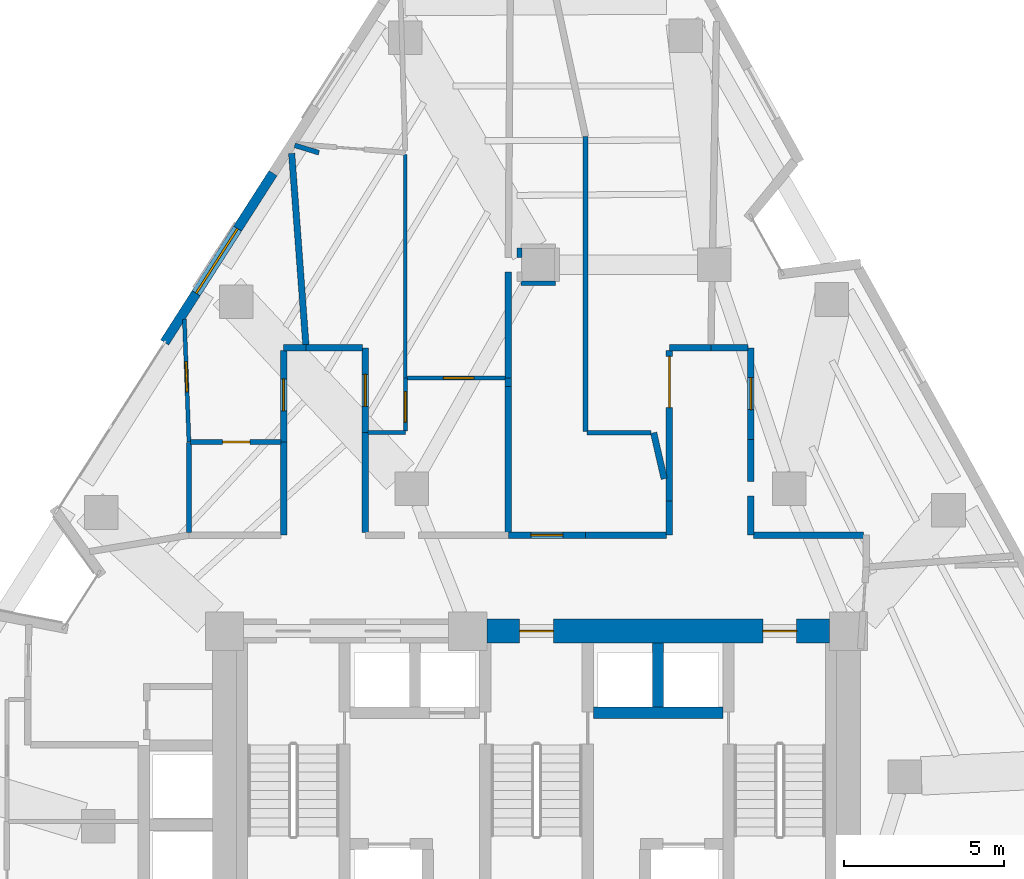
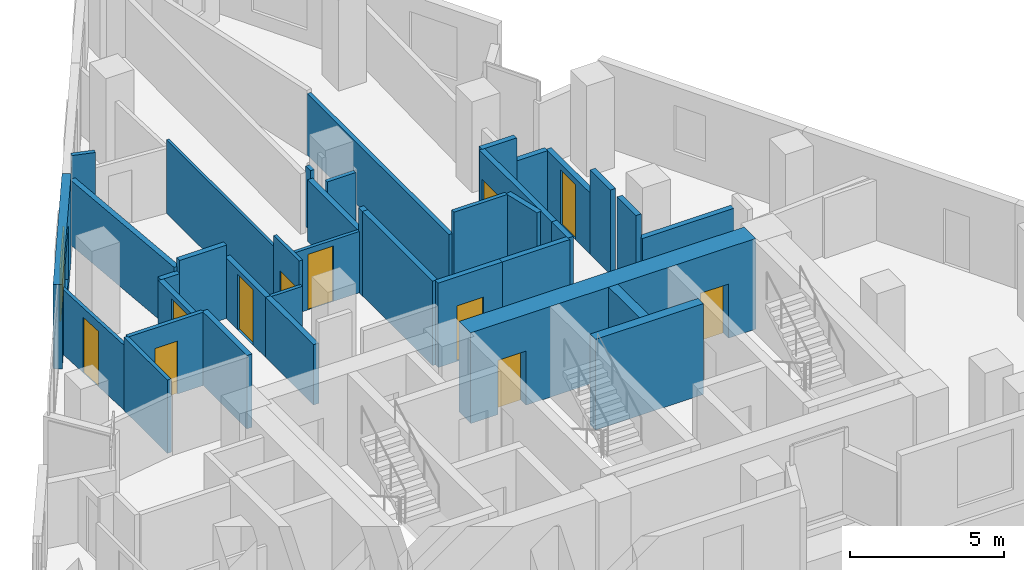
# One storey, part 7 of 11: 37 walls, 11 doors, 1 window, 12 openings.
"""IFC4 building model written with IfcOpenShell, lengths in metres."""

from ifc_helpers import new_model, si_unit, direction, frame, frame_2d, origin, place, context, subcontext, project, spatial, rectangle, extrude, material, layer, layer_set, type_object, element, fill, save


model = new_model("IFC4")

# Units and contexts
model_context = context("Model", 3, precision=1e-05, world=origin(), true_north=direction((0.0, 1.0)))
body_context = subcontext(model_context, "Body", "Model", "MODEL_VIEW")
ifc_project = project(units=[si_unit("LENGTHUNIT", "METRE"), si_unit("AREAUNIT", "SQUARE_METRE"), si_unit("VOLUMEUNIT", "CUBIC_METRE"), si_unit("PLANEANGLEUNIT", "RADIAN"), si_unit("MASSUNIT", "GRAM", prefix="KILO")], contexts=[model_context])

# Site, building, storey
site_placement = place(None, origin())
site = spatial("IfcSite", under=ifc_project, at=site_placement, CompositionType="ELEMENT")
building_placement = place(site_placement, origin())
building = spatial("IfcBuilding", under=site, at=building_placement, Name="Almagre Mirador Tower", CompositionType="ELEMENT")
storey_placement = place(building_placement, frame((0.0, 0.0, 153.60009765625)))
storey = spatial("IfcBuildingStorey", under=building, at=storey_placement, Name="L39", CompositionType="ELEMENT", Elevation=153.60009765625)

# Wall, opening, window
ifc_material_1 = material(Name="Precast concrete C50/60", Category="concrete")
ifc_layer_1 = layer(ifc_material_1, 0.300048828125)
ifc_layer_set_1 = layer_set([ifc_layer_1], Name="Precast concrete C50/60")
wall_type_1 = type_object("IfcWallType", Name="WAL-EXT-300", PredefinedType="SOLIDWALL", material=ifc_layer_set_1)
wall_1_placement = place(storey_placement, frame((25.679443359375, 23.771728515625, 0.0), z_axis=(0.0, 0.0, 1.0), x_axis=(0.539489448276, 0.841992360535, 0.0)))
wall_1 = element("IfcWall", 1, at=wall_1_placement, inside=storey, type_object=wall_type_1, Name="L39 expressed almagre precast frame wall 03", PredefinedType="SOLIDWALL", context=body_context, shape_type="SweptSolid", body=[
    extrude(rectangle(XDim=6.279052734375, YDim=0.300048828125, at=frame_2d((3.1396484375, 0.0))), origin(), (0.0, 0.0, 1.0), 3.349853515625),
])
opening_1_placement = place(wall_1_placement, frame((1.824951171875, 0.0, 0.60009765625)))
opening_1 = element("IfcOpeningElement", 2, at=opening_1_placement, cuts=wall_1, Name="Opening WN-02", PredefinedType="OPENING", context=body_context, shape_type="SweptSolid", body=[
    extrude(rectangle(XDim=2.39990234375, YDim=2.10009765625, at=frame_2d((1.199951171875, 1.050048828125))), frame((0.0, 0.159902, 0.0), z_axis=(0.0, -1.0, 0.0), x_axis=(1.0, 0.0, 0.0)), (0.0, 0.0, 1.0), 0.320049),
])
ifc_material_2 = material(Name="Dark solar-control laminated hurricane glass", Category="glass")
window_type = type_object("IfcWindowType", Name="WIN-2400X2100", PartitioningType="TRIPLE_PANEL_VERTICAL", PredefinedType="WINDOW", material=ifc_material_2)
window_placement = place(opening_1_placement, origin())
window = element("IfcWindow", 3, at=window_placement, inside=storey, type_object=window_type, Name="L39 recessed hurricane window L39-UD-ST", OverallHeight=2.10009765625, OverallWidth=2.39990234375, PartitioningType="SINGLE_PANEL", PredefinedType="WINDOW", context=body_context, shape_type="SweptSolid", body=[
    extrude(rectangle(XDim=2.39990234375, YDim=2.10009765625, at=frame_2d((1.199951171875, 1.050048828125))), frame((0.0, 0.030029296875, 0.0), z_axis=(0.0, -1.0, 0.0), x_axis=(1.0, 0.0, 0.0)), (0.0, 0.0, 1.0), 0.06005859375),
])
fill(opening_1, window)

# Wall
ifc_material_3 = material(Name="Gypsum acoustic stud partition", Category="other")
ifc_layer_2 = layer(ifc_material_3, 0.10009765625)
ifc_layer_set_2 = layer_set([ifc_layer_2], Name="Gypsum acoustic stud partition")
wall_type_2 = type_object("IfcWallType", Name="WAL-PRT-100-CLS", PredefinedType="PARTITIONING", material=ifc_layer_set_2)
wall_2_placement = place(storey_placement, frame((33.199951171875, 22.659912109375, 0.0), z_axis=(0.0, 0.0, 1.0), x_axis=(0.0, 1.0, 0.0)))
element("IfcWall", 4, at=wall_2_placement, inside=storey, type_object=wall_type_2, Name="L39 interior partition 062", PredefinedType="PARTITIONING", context=body_context, shape_type="SweptSolid", body=[
    extrude(rectangle(XDim=6.97998046875, YDim=0.10009765625, at=frame_2d((3.489990234375, 0.0))), origin(), (0.0, 0.0, 1.0), 2.910888671875),
])

# Wall, opening, door
ifc_material_4 = material(Name="Gypsum acoustic stud partition", Category="other")
ifc_layer_3 = layer(ifc_material_4, 0.125)
ifc_layer_set_3 = layer_set([ifc_layer_3], Name="Gypsum acoustic stud partition")
wall_type_3 = type_object("IfcWallType", Name="WAL-PRT-125-UTL", PredefinedType="PARTITIONING", material=ifc_layer_set_3)
wall_3_placement = place(storey_placement, frame((26.298095703125, 24.4970703125, 0.0), z_axis=(0.0, 0.0, 1.0), x_axis=(0.036941110587, -0.999317444233, 0.0)))
wall_3 = element("IfcWall", 5, at=wall_3_placement, inside=storey, type_object=wall_type_3, Name="L39 interior partition 042", PredefinedType="PARTITIONING", context=body_context, shape_type="SweptSolid", body=[
    extrude(rectangle(XDim=3.83984375, YDim=0.125, at=frame_2d((1.919921875, 0.0))), origin(), (0.0, 0.0, 1.0), 2.56982421875),
])
opening_2_placement = place(wall_3_placement, frame((1.32470703125, 0.0, 0.0)))
opening_2 = element("IfcOpeningElement", 6, at=opening_2_placement, cuts=wall_3, Name="Opening UD-01", PredefinedType="OPENING", context=body_context, shape_type="SweptSolid", body=[
    extrude(rectangle(XDim=0.949951171875, YDim=2.199951171875, at=frame_2d((0.47509765625, 1.10009765625))), frame((0.0, 0.0725, 0.0), z_axis=(0.0, -1.0, 0.0), x_axis=(1.0, 0.0, 0.0)), (0.0, 0.0, 1.0), 0.145),
])
ifc_material_5 = material(Name="Solid American walnut timber", Category="wood")
door_type_1 = type_object("IfcDoorType", Name="DOR-UNR-950X2200", OperationType="NOTDEFINED", PredefinedType="DOOR", material=ifc_material_5)
door_1_placement = place(opening_2_placement, origin())
door_1 = element("IfcDoor", 7, at=door_1_placement, inside=storey, type_object=door_type_1, Name="DR-1272 L39 interior door L39-UD-ST to L39-UD-KT", OperationType="SINGLE_SWING_RIGHT", OverallHeight=2.199951171875, OverallWidth=0.949951171875, PredefinedType="DOOR", context=body_context, shape_type="SweptSolid", body=[
    extrude(rectangle(XDim=0.949951171875, YDim=2.199951171875, at=frame_2d((0.47509765625, 1.10009765625))), frame((0.0, 0.02490234375, 0.0), z_axis=(0.0, -1.0, 0.0), x_axis=(1.0, 0.0, 0.0)), (0.0, 0.0, 1.0), 0.050048828125),
])
fill(opening_2, door_1)

# Wall
wall_4_placement = place(storey_placement, frame((32.034912109375, 20.949951171875, 0.0), z_axis=(0.0, 0.0, 1.0), x_axis=(1.0, 0.0, 0.0)))
element("IfcWall", 8, at=wall_4_placement, inside=storey, type_object=wall_type_3, Name="L39 interior partition 060", PredefinedType="PARTITIONING", context=body_context, shape_type="SweptSolid", body=[
    extrude(rectangle(XDim=1.1650390625, YDim=0.125, at=frame_2d((0.58251953125, 0.0))), origin(), (0.0, 0.0, 1.0), 2.392822265625),
])

# Wall, opening, door
wall_5_placement = place(storey_placement, frame((33.199951171875, 20.99755859375, 0.0), z_axis=(0.0, 0.0, 1.0), x_axis=(0.0, 1.0, 0.0)))
wall_5 = element("IfcWall", 9, at=wall_5_placement, inside=storey, type_object=wall_type_3, Name="L39 interior partition 061", PredefinedType="PARTITIONING", context=body_context, shape_type="SweptSolid", body=[
    extrude(rectangle(XDim=1.662353515625, YDim=0.125, at=frame_2d((0.8310546875, 0.0))), origin(), (0.0, 0.0, 1.0), 3.349853515625),
])
opening_3_placement = place(wall_5_placement, frame((0.284423828125, 0.0, 0.0)))
opening_3 = element("IfcOpeningElement", 10, at=opening_3_placement, cuts=wall_5, Name="Opening UD-01", PredefinedType="OPENING", context=body_context, shape_type="SweptSolid", body=[
    extrude(rectangle(XDim=0.949951171875, YDim=2.199951171875, at=frame_2d((0.47509765625, 1.10009765625))), frame((0.0, 0.0725, 0.0), z_axis=(0.0, -1.0, 0.0), x_axis=(1.0, 0.0, 0.0)), (0.0, 0.0, 1.0), 0.145),
])
door_2_placement = place(opening_3_placement, origin())
door_2 = element("IfcDoor", 11, at=door_2_placement, inside=storey, type_object=door_type_1, Name="DR-1277 L39 interior door L39-UG-ST to L39-UG-KT", OperationType="SINGLE_SWING_RIGHT", OverallHeight=2.199951171875, OverallWidth=0.949951171875, PredefinedType="DOOR", context=body_context, shape_type="SweptSolid", body=[
    extrude(rectangle(XDim=0.949951171875, YDim=2.199951171875, at=frame_2d((0.47509765625, 1.10009765625))), frame((0.0, 0.02490234375, 0.0), z_axis=(0.0, -1.0, 0.0), x_axis=(1.0, 0.0, 0.0)), (0.0, 0.0, 1.0), 0.050048828125),
])
fill(opening_3, door_2)

wall_6_placement = place(storey_placement, frame((36.3349609375, 22.659912109375, 0.0), z_axis=(0.0, 0.0, 1.0), x_axis=(-1.0, 0.0, 0.0)))
wall_6 = element("IfcWall", 12, at=wall_6_placement, inside=storey, type_object=wall_type_3, Name="L39 interior partition 064", PredefinedType="PARTITIONING", context=body_context, shape_type="SweptSolid", body=[
    extrude(rectangle(XDim=3.08740234375, YDim=0.125, at=frame_2d((1.543701171875, 0.0))), origin(), (0.0, 0.0, 1.0), 2.435791015625),
])
opening_4_placement = place(wall_6_placement, frame((0.991455078125, 0.0, 0.0)))
opening_4 = element("IfcOpeningElement", 13, at=opening_4_placement, cuts=wall_6, Name="Opening UD-01", PredefinedType="OPENING", context=body_context, shape_type="SweptSolid", body=[
    extrude(rectangle(XDim=0.949951171875, YDim=2.199951171875, at=frame_2d((0.47509765625, 1.10009765625))), frame((0.0, 0.0725, 0.0), z_axis=(0.0, -1.0, 0.0), x_axis=(1.0, 0.0, 0.0)), (0.0, 0.0, 1.0), 0.145),
])
door_3_placement = place(opening_4_placement, origin())
door_3 = element("IfcDoor", 14, at=door_3_placement, inside=storey, type_object=door_type_1, Name="DR-1279 L39 interior door L39-UG-KT to L39-UG-SL1", OperationType="SINGLE_SWING_RIGHT", OverallHeight=2.199951171875, OverallWidth=0.949951171875, PredefinedType="DOOR", context=body_context, shape_type="SweptSolid", body=[
    extrude(rectangle(XDim=0.949951171875, YDim=2.199951171875, at=frame_2d((0.47509765625, 1.10009765625))), frame((0.0, 0.02490234375, 0.0), z_axis=(0.0, -1.0, 0.0), x_axis=(1.0, 0.0, 0.0)), (0.0, 0.0, 1.0), 0.050048828125),
])
fill(opening_4, door_3)

ifc_material_6 = material(Name="Gypsum acoustic stud partition", Category="other")
ifc_layer_4 = layer(ifc_material_6, 0.14990234375)
ifc_layer_set_4 = layer_set([ifc_layer_4], Name="Gypsum acoustic stud partition")
wall_type_4 = type_object("IfcWallType", Name="WAL-PRT-150-STD", PredefinedType="PARTITIONING", material=ifc_layer_set_4)
wall_7_placement = place(storey_placement, frame((26.487548828125, 20.659912109375, 0.0), z_axis=(0.0, 0.0, 1.0), x_axis=(1.0, 0.0, 0.0)))
wall_7 = element("IfcWall", 15, at=wall_7_placement, inside=storey, type_object=wall_type_4, Name="L39 interior partition 043", PredefinedType="PARTITIONING", context=body_context, shape_type="SweptSolid", body=[
    extrude(rectangle(XDim=2.827392578125, YDim=0.14990234375, at=frame_2d((1.41357421875, 0.0))), origin(), (0.0, 0.0, 1.0), 2.910888671875),
])
opening_5_placement = place(wall_7_placement, frame((1.007568359375, 0.0, 0.0)))
opening_5 = element("IfcOpeningElement", 16, at=opening_5_placement, cuts=wall_7, Name="Opening UD-04", PredefinedType="OPENING", context=body_context, shape_type="SweptSolid", body=[
    extrude(rectangle(XDim=0.85009765625, YDim=2.10009765625, at=frame_2d((0.425048828125, 1.050048828125))), frame((0.0, 0.084951, 0.0), z_axis=(0.0, -1.0, 0.0), x_axis=(1.0, 0.0, 0.0)), (0.0, 0.0, 1.0), 0.169902),
])
ifc_material_7 = material(Name="Moisture-resistant oak timber", Category="wood")
door_type_2 = type_object("IfcDoorType", Name="DOR-UNR-850X2100", OperationType="NOTDEFINED", PredefinedType="DOOR", material=ifc_material_7)
door_4_placement = place(opening_5_placement, origin())
door_4 = element("IfcDoor", 17, at=door_4_placement, inside=storey, type_object=door_type_2, Name="DR-1273 L39 interior door L39-UD-ST to L39-UD-BT", OperationType="SINGLE_SWING_LEFT", OverallHeight=2.10009765625, OverallWidth=0.85009765625, PredefinedType="DOOR", context=body_context, shape_type="SweptSolid", body=[
    extrude(rectangle(XDim=0.85009765625, YDim=2.10009765625, at=frame_2d((0.425048828125, 1.050048828125))), frame((0.0, 0.02490234375, 0.0), z_axis=(0.0, -1.0, 0.0), x_axis=(1.0, 0.0, 0.0)), (0.0, 0.0, 1.0), 0.050048828125),
])
fill(opening_5, door_4)

# Walls
wall_8_placement = place(storey_placement, frame((26.43994140625, 17.8349609375, 0.0), z_axis=(0.0, 0.0, 1.0), x_axis=(0.0, 1.0, 0.0)))
element("IfcWall", 18, at=wall_8_placement, inside=storey, type_object=wall_type_4, Name="L39 interior partition 045", PredefinedType="PARTITIONING", context=body_context, shape_type="SweptSolid", body=[
    extrude(rectangle(XDim=2.8125, YDim=0.14990234375, at=frame_2d((1.40625, 0.0))), origin(), (0.0, 0.0, 1.0), 2.910888671875),
])
wall_9_placement = place(storey_placement, frame((29.743896484375, 29.930908203125, 0.0), z_axis=(0.0, 0.0, 1.0), x_axis=(0.956483166449, -0.291787512241, 0.0)))
element("IfcWall", 19, at=wall_9_placement, inside=storey, type_object=wall_type_4, Name="L39 interior partition 073", PredefinedType="PARTITIONING", context=body_context, shape_type="SweptSolid", body=[
    extrude(rectangle(XDim=0.79150390625, YDim=0.14990234375, at=frame_2d((0.395751953125, 0.0))), origin(), (0.0, 0.0, 1.0), 3.349853515625),
])
wall_10_placement = place(storey_placement, frame((36.77001953125, 26.419921875, 0.0), z_axis=(0.0, 0.0, 1.0), x_axis=(0.0, 1.0, 0.0)))
element("IfcWall", 20, at=wall_10_placement, inside=storey, type_object=wall_type_4, Name="L39 interior partition 075", PredefinedType="PARTITIONING", context=body_context, shape_type="SweptSolid", body=[
    extrude(rectangle(XDim=0.31005859375, YDim=0.14990234375, at=frame_2d((0.155029296875, 0.0))), origin(), (0.0, 0.0, 1.0), 2.392822265625),
])
wall_11_placement = place(storey_placement, frame((37.889892578125, 25.6201171875, 0.0), z_axis=(0.0, 0.0, 1.0), x_axis=(-1.0, 0.0, 0.0)))
element("IfcWall", 21, at=wall_11_placement, inside=storey, type_object=wall_type_4, Name="L39 interior partition 078", PredefinedType="PARTITIONING", context=body_context, shape_type="SweptSolid", body=[
    extrude(rectangle(XDim=1.06982421875, YDim=0.14990234375, at=frame_2d((0.534912109375, 0.0))), origin(), (0.0, 0.0, 1.0), 2.435791015625),
])
wall_12_placement = place(storey_placement, frame((40.875, 20.949951171875, 0.0), z_axis=(0.0, 0.0, 1.0), x_axis=(-1.0, 0.0, 0.0)))
element("IfcWall", 22, at=wall_12_placement, inside=storey, type_object=wall_type_4, Name="L39 interior partition 080", PredefinedType="PARTITIONING", context=body_context, shape_type="SweptSolid", body=[
    extrude(rectangle(XDim=2.0048828125, YDim=0.14990234375, at=frame_2d((1.00244140625, 0.0))), origin(), (0.0, 0.0, 1.0), 3.349853515625),
])
wall_13_placement = place(storey_placement, frame((38.830078125, 20.989990234375, 0.0), z_axis=(0.0, 0.0, 1.0), x_axis=(0.0, 1.0, 0.0)))
element("IfcWall", 23, at=wall_13_placement, inside=storey, type_object=wall_type_4, Name="L39 interior partition 081", PredefinedType="PARTITIONING", context=body_context, shape_type="SweptSolid", body=[
    extrude(rectangle(XDim=9.219970703125, YDim=0.14990234375, at=frame_2d((4.60986328125, 0.0))), origin(), (0.0, 0.0, 1.0), 2.435791015625),
])
ifc_material_8 = material(Name="Gypsum acoustic stud partition", Category="other")
ifc_layer_5 = layer(ifc_material_8, 0.199951171875)
ifc_layer_set_5 = layer_set([ifc_layer_5], Name="Gypsum acoustic stud partition")
wall_type_5 = type_object("IfcWallType", Name="WAL-PRT-200-EI60", PredefinedType="PARTITIONING", material=ifc_layer_set_5)
wall_14_placement = place(storey_placement, frame((30.10009765625, 23.60009765625, 0.0), z_axis=(0.0, 0.0, 1.0), x_axis=(-1.0, 0.0, 0.0)))
element("IfcWall", 24, at=wall_14_placement, inside=storey, type_object=wall_type_5, Name="L39 interior partition 005", PredefinedType="PARTITIONING", context=body_context, shape_type="SweptSolid", body=[
    extrude(rectangle(XDim=0.7001953125, YDim=0.199951171875, at=frame_2d((0.35009765625, 0.0))), origin(), (0.0, 0.0, 1.0), 2.392822265625),
])

# Wall, opening, door
wall_15_placement = place(storey_placement, frame((29.39990234375, 23.514892578125, 0.0), z_axis=(0.0, 0.0, 1.0), x_axis=(0.0, -1.0, 0.0)))
wall_15 = element("IfcWall", 25, at=wall_15_placement, inside=storey, type_object=wall_type_5, Name="L39 interior partition 006", PredefinedType="PARTITIONING", context=body_context, shape_type="SweptSolid", body=[
    extrude(rectangle(XDim=2.85498046875, YDim=0.199951171875, at=frame_2d((1.427490234375, 0.0))), origin(), (0.0, 0.0, 1.0), 2.392822265625),
])
opening_6_placement = place(wall_15_placement, frame((0.885009765625, 0.0, 0.0)))
opening_6 = element("IfcOpeningElement", 26, at=opening_6_placement, cuts=wall_15, Name="Opening ID-01", PredefinedType="OPENING", context=body_context, shape_type="SweptSolid", body=[
    extrude(rectangle(XDim=1.0, YDim=2.199951171875, at=frame_2d((0.5, 1.10009765625))), frame((0.0, 0.110098, 0.0), z_axis=(0.0, -1.0, 0.0), x_axis=(1.0, 0.0, 0.0)), (0.0, 0.0, 1.0), 0.219951),
])
ifc_material_9 = material(Name="Fire-rated walnut timber", Category="wood")
door_type_3 = type_object("IfcDoorType", Name="DOR-FD60-1000X2200", OperationType="NOTDEFINED", PredefinedType="DOOR", material=ifc_material_9)
door_5_placement = place(opening_6_placement, origin())
door_5 = element("IfcDoor", 27, at=door_5_placement, inside=storey, type_object=door_type_3, Name="DR-1271 L39 interior door L39-RCOR to L39-UD-ST", OperationType="SINGLE_SWING_LEFT", OverallHeight=2.199951171875, OverallWidth=1.0, PredefinedType="DOOR", context=body_context, shape_type="SweptSolid", body=[
    extrude(rectangle(XDim=1.0, YDim=2.199951171875, at=frame_2d((0.5, 1.10009765625))), frame((0.0, 0.02490234375, 0.0), z_axis=(0.0, -1.0, 0.0), x_axis=(1.0, 0.0, 0.0)), (0.0, 0.0, 1.0), 0.050048828125),
])
fill(opening_6, door_5)

# Wall
wall_16_placement = place(storey_placement, frame((29.39990234375, 20.659912109375, 0.0), z_axis=(0.0, 0.0, 1.0), x_axis=(0.0, -1.0, 0.0)))
element("IfcWall", 28, at=wall_16_placement, inside=storey, type_object=wall_type_5, Name="L39 interior partition 008", PredefinedType="PARTITIONING", context=body_context, shape_type="SweptSolid", body=[
    extrude(rectangle(XDim=2.909912109375, YDim=0.199951171875, at=frame_2d((1.455078125, 0.0))), origin(), (0.0, 0.0, 1.0), 2.910888671875),
])

# Wall, opening, door
wall_17_placement = place(storey_placement, frame((38.830078125, 17.75, 0.0), z_axis=(0.0, 0.0, 1.0), x_axis=(-1.0, 0.0, 0.0)))
wall_17 = element("IfcWall", 29, at=wall_17_placement, inside=storey, type_object=wall_type_5, Name="L39 interior partition 010", PredefinedType="PARTITIONING", context=body_context, shape_type="SweptSolid", body=[
    extrude(rectangle(XDim=2.41015625, YDim=0.199951171875, at=frame_2d((1.205078125, 0.0))), origin(), (0.0, 0.0, 1.0), 3.349853515625),
])
opening_7_placement = place(wall_17_placement, frame((0.705078125, 0.0, 0.0)))
opening_7 = element("IfcOpeningElement", 30, at=opening_7_placement, cuts=wall_17, Name="Opening ID-01", PredefinedType="OPENING", context=body_context, shape_type="SweptSolid", body=[
    extrude(rectangle(XDim=1.0, YDim=2.199951171875, at=frame_2d((0.5, 1.10009765625))), frame((0.0, 0.110098, 0.0), z_axis=(0.0, -1.0, 0.0), x_axis=(1.0, 0.0, 0.0)), (0.0, 0.0, 1.0), 0.219951),
])
door_6_placement = place(opening_7_placement, origin())
door_6 = element("IfcDoor", 31, at=door_6_placement, inside=storey, type_object=door_type_3, Name="DR-1274 L39 interior door L39-RCOR to L39-UE-ST", OperationType="SINGLE_SWING_RIGHT", OverallHeight=2.199951171875, OverallWidth=1.0, PredefinedType="DOOR", context=body_context, shape_type="SweptSolid", body=[
    extrude(rectangle(XDim=1.0, YDim=2.199951171875, at=frame_2d((0.5, 1.10009765625))), frame((0.0, 0.02490234375, 0.0), z_axis=(0.0, -1.0, 0.0), x_axis=(1.0, 0.0, 0.0)), (0.0, 0.0, 1.0), 0.050048828125),
])
fill(opening_7, door_6)

# Walls
wall_18_placement = place(storey_placement, frame((41.449951171875, 18.81005859375, 0.0), z_axis=(0.0, 0.0, 1.0), x_axis=(0.0, -1.0, 0.0)))
element("IfcWall", 32, at=wall_18_placement, inside=storey, type_object=wall_type_5, Name="L39 interior partition 011", PredefinedType="PARTITIONING", context=body_context, shape_type="SweptSolid", body=[
    extrude(rectangle(XDim=1.06005859375, YDim=0.199951171875, at=frame_2d((0.530029296875, 0.0))), origin(), (0.0, 0.0, 1.0), 3.349853515625),
])
wall_19_placement = place(storey_placement, frame((41.364990234375, 17.75, 0.0), z_axis=(0.0, 0.0, 1.0), x_axis=(-1.0, 0.0, 0.0)))
element("IfcWall", 33, at=wall_19_placement, inside=storey, type_object=wall_type_5, Name="L39 interior partition 012", PredefinedType="PARTITIONING", context=body_context, shape_type="SweptSolid", body=[
    extrude(rectangle(XDim=2.534912109375, YDim=0.199951171875, at=frame_2d((1.267578125, 0.0))), origin(), (0.0, 0.0, 1.0), 3.349853515625),
])

# Wall, opening, door
wall_20_placement = place(storey_placement, frame((44.0, 20.739990234375, 0.0), z_axis=(0.0, 0.0, 1.0), x_axis=(0.0, 1.0, 0.0)))
wall_20 = element("IfcWall", 34, at=wall_20_placement, inside=storey, type_object=wall_type_5, Name="L39 interior partition 013", PredefinedType="PARTITIONING", context=body_context, shape_type="SweptSolid", body=[
    extrude(rectangle(XDim=2.860107421875, YDim=0.199951171875, at=frame_2d((1.43017578125, 0.0))), origin(), (0.0, 0.0, 1.0), 2.435791015625),
])
opening_8_placement = place(wall_20_placement, frame((0.929931640625, 0.0, 0.0)))
opening_8 = element("IfcOpeningElement", 35, at=opening_8_placement, cuts=wall_20, Name="Opening ID-01", PredefinedType="OPENING", context=body_context, shape_type="SweptSolid", body=[
    extrude(rectangle(XDim=1.0, YDim=2.199951171875, at=frame_2d((0.5, 1.10009765625))), frame((0.0, 0.110098, 0.0), z_axis=(0.0, -1.0, 0.0), x_axis=(1.0, 0.0, 0.0)), (0.0, 0.0, 1.0), 0.219951),
])
door_7_placement = place(opening_8_placement, origin())
door_7 = element("IfcDoor", 36, at=door_7_placement, inside=storey, type_object=door_type_3, Name="DR-1275 L39 interior door L39-RCOR to L39-UF-ST", OperationType="SINGLE_SWING_LEFT", OverallHeight=2.199951171875, OverallWidth=1.0, PredefinedType="DOOR", context=body_context, shape_type="SweptSolid", body=[
    extrude(rectangle(XDim=1.0, YDim=2.199951171875, at=frame_2d((0.5, 1.10009765625))), frame((0.0, 0.02490234375, 0.0), z_axis=(0.0, -1.0, 0.0), x_axis=(1.0, 0.0, 0.0)), (0.0, 0.0, 1.0), 0.050048828125),
])
fill(opening_8, door_7)

# Walls
wall_21_placement = place(storey_placement, frame((43.9150390625, 23.60009765625, 0.0), z_axis=(0.0, 0.0, 1.0), x_axis=(-1.0, 0.0, 0.0)))
element("IfcWall", 37, at=wall_21_placement, inside=storey, type_object=wall_type_5, Name="L39 interior partition 014", PredefinedType="PARTITIONING", context=body_context, shape_type="SweptSolid", body=[
    extrude(rectangle(XDim=1.1650390625, YDim=0.199951171875, at=frame_2d((0.58251953125, 0.0))), origin(), (0.0, 0.0, 1.0), 2.435791015625),
])
wall_22_placement = place(storey_placement, frame((44.0, 17.75, 0.0), z_axis=(0.0, 0.0, 1.0), x_axis=(0.0, 1.0, 0.0)))
element("IfcWall", 38, at=wall_22_placement, inside=storey, type_object=wall_type_5, Name="L39 interior partition 018", PredefinedType="PARTITIONING", context=body_context, shape_type="SweptSolid", body=[
    extrude(rectangle(XDim=1.22998046875, YDim=0.199951171875, at=frame_2d((0.614990234375, 0.0))), origin(), (0.0, 0.0, 1.0), 3.349853515625),
])

# Wall, opening, door
wall_23_placement = place(storey_placement, frame((31.949951171875, 20.949951171875, 0.0), z_axis=(0.0, 0.0, 1.0), x_axis=(0.0, 1.0, 0.0)))
wall_23 = element("IfcWall", 39, at=wall_23_placement, inside=storey, type_object=wall_type_5, Name="L39 interior partition 020", PredefinedType="PARTITIONING", context=body_context, shape_type="SweptSolid", body=[
    extrude(rectangle(XDim=2.650146484375, YDim=0.199951171875, at=frame_2d((1.3251953125, 0.0))), origin(), (0.0, 0.0, 1.0), 2.392822265625),
])
opening_9_placement = place(wall_23_placement, frame((0.824951171875, 0.0, 0.0)))
opening_9 = element("IfcOpeningElement", 40, at=opening_9_placement, cuts=wall_23, Name="Opening ID-01", PredefinedType="OPENING", context=body_context, shape_type="SweptSolid", body=[
    extrude(rectangle(XDim=1.0, YDim=2.199951171875, at=frame_2d((0.5, 1.10009765625))), frame((0.0, 0.110098, 0.0), z_axis=(0.0, -1.0, 0.0), x_axis=(1.0, 0.0, 0.0)), (0.0, 0.0, 1.0), 0.219951),
])
door_8_placement = place(opening_9_placement, origin())
door_8 = element("IfcDoor", 41, at=door_8_placement, inside=storey, type_object=door_type_3, Name="DR-1276 L39 interior door L39-RCOR to L39-UG-ST", OperationType="SINGLE_SWING_LEFT", OverallHeight=2.199951171875, OverallWidth=1.0, PredefinedType="DOOR", context=body_context, shape_type="SweptSolid", body=[
    extrude(rectangle(XDim=1.0, YDim=2.199951171875, at=frame_2d((0.5, 1.10009765625))), frame((0.0, 0.02490234375, 0.0), z_axis=(0.0, -1.0, 0.0), x_axis=(1.0, 0.0, 0.0)), (0.0, 0.0, 1.0), 0.050048828125),
])
fill(opening_9, door_8)

# Walls
wall_24_placement = place(storey_placement, frame((31.864990234375, 23.60009765625, 0.0), z_axis=(0.0, 0.0, 1.0), x_axis=(-1.0, 0.0, 0.0)))
element("IfcWall", 42, at=wall_24_placement, inside=storey, type_object=wall_type_5, Name="L39 interior partition 021", PredefinedType="PARTITIONING", context=body_context, shape_type="SweptSolid", body=[
    extrude(rectangle(XDim=1.764892578125, YDim=0.199951171875, at=frame_2d((0.88232421875, 0.0))), origin(), (0.0, 0.0, 1.0), 2.910888671875),
])
wall_25_placement = place(storey_placement, frame((31.949951171875, 17.8349609375, 0.0), z_axis=(0.0, 0.0, 1.0), x_axis=(0.0, 1.0, 0.0)))
element("IfcWall", 43, at=wall_25_placement, inside=storey, type_object=wall_type_5, Name="L39 interior partition 023", PredefinedType="PARTITIONING", context=body_context, shape_type="SweptSolid", body=[
    extrude(rectangle(XDim=3.114990234375, YDim=0.199951171875, at=frame_2d((1.5576171875, 0.0))), origin(), (0.0, 0.0, 1.0), 2.392822265625),
])
wall_26_placement = place(storey_placement, frame((42.75, 23.60009765625, 0.0), z_axis=(0.0, 0.0, 1.0), x_axis=(-1.0, 0.0, 0.0)))
element("IfcWall", 44, at=wall_26_placement, inside=storey, type_object=wall_type_5, Name="L39 interior partition 025", PredefinedType="PARTITIONING", context=body_context, shape_type="SweptSolid", body=[
    extrude(rectangle(XDim=1.300048828125, YDim=0.199951171875, at=frame_2d((0.64990234375, 0.0))), origin(), (0.0, 0.0, 1.0), 3.349853515625),
])

# Wall, opening, door
wall_27_placement = place(storey_placement, frame((41.449951171875, 23.514892578125, 0.0), z_axis=(0.0, 0.0, 1.0), x_axis=(0.0, -1.0, 0.0)))
wall_27 = element("IfcWall", 45, at=wall_27_placement, inside=storey, type_object=wall_type_5, Name="L39 interior partition 026", PredefinedType="PARTITIONING", context=body_context, shape_type="SweptSolid", body=[
    extrude(rectangle(XDim=4.704833984375, YDim=0.199951171875, at=frame_2d((2.3525390625, 0.0))), origin(), (0.0, 0.0, 1.0), 3.349853515625),
])
opening_10_placement = place(wall_27_placement, frame((0.17626953125, 0.0, 0.0)))
opening_10 = element("IfcOpeningElement", 46, at=opening_10_placement, cuts=wall_27, Name="Opening ID-05", PredefinedType="OPENING", context=body_context, shape_type="SweptSolid", body=[
    extrude(rectangle(XDim=1.60009765625, YDim=2.300048828125, at=frame_2d((0.800048828125, 1.14990234375))), frame((0.0, 0.110098, 0.0), z_axis=(0.0, -1.0, 0.0), x_axis=(1.0, 0.0, 0.0)), (0.0, 0.0, 1.0), 0.219951),
])
ifc_material_10 = material(Name="Fire-rated acoustic timber", Category="wood")
door_type_4 = type_object("IfcDoorType", Name="DOR-FD60-1600X2300", OperationType="DOUBLE_DOOR_SINGLE_SWING", PredefinedType="DOOR", material=ifc_material_10)
door_9_placement = place(opening_10_placement, origin())
door_9 = element("IfcDoor", 47, at=door_9_placement, inside=storey, type_object=door_type_4, Name="DR-1266 L39 interior door L39-RCOR to L39-RST-H", OperationType="DOUBLE_DOOR_SINGLE_SWING", OverallHeight=2.300048828125, OverallWidth=1.60009765625, PredefinedType="DOOR", context=body_context, shape_type="SweptSolid", body=[
    extrude(rectangle(XDim=1.60009765625, YDim=2.300048828125, at=frame_2d((0.800048828125, 1.14990234375))), frame((0.0, 0.02490234375, 0.0), z_axis=(0.0, -1.0, 0.0), x_axis=(1.0, 0.0, 0.0)), (0.0, 0.0, 1.0), 0.050048828125),
])
fill(opening_10, door_9)

# Walls
wall_28_placement = place(storey_placement, frame((30.093994140625, 23.684814453125, 0.0), z_axis=(0.0, 0.0, 1.0), x_axis=(-0.073885151141, 0.997266756912, 0.0)))
element("IfcWall", 48, at=wall_28_placement, inside=storey, type_object=wall_type_5, Name="L39 interior partition 044", PredefinedType="PARTITIONING", context=body_context, shape_type="SweptSolid", body=[
    extrude(rectangle(XDim=6.010498046875, YDim=0.199951171875, at=frame_2d((3.00537109375, 0.0))), origin(), (0.0, 0.0, 1.0), 2.56982421875),
])
wall_29_placement = place(storey_placement, frame((36.419921875, 22.39990234375, 0.0), z_axis=(0.0, 0.0, 1.0), x_axis=(0.0, -1.0, 0.0)))
element("IfcWall", 49, at=wall_29_placement, inside=storey, type_object=wall_type_5, Name="L39 interior partition 048", PredefinedType="PARTITIONING", context=body_context, shape_type="SweptSolid", body=[
    extrude(rectangle(XDim=4.56494140625, YDim=0.199951171875, at=frame_2d((2.282470703125, 0.0))), origin(), (0.0, 0.0, 1.0), 3.349853515625),
])
wall_30_placement = place(storey_placement, frame((36.419921875, 22.659912109375, 0.0), z_axis=(0.0, 0.0, 1.0), x_axis=(0.0, -1.0, 0.0)))
element("IfcWall", 50, at=wall_30_placement, inside=storey, type_object=wall_type_5, Name="L39 interior partition 049", PredefinedType="PARTITIONING", context=body_context, shape_type="SweptSolid", body=[
    extrude(rectangle(XDim=0.260009765625, YDim=0.199951171875, at=frame_2d((0.1298828125, 0.0))), origin(), (0.0, 0.0, 1.0), 3.349853515625),
])
wall_31_placement = place(storey_placement, frame((36.419921875, 25.97998046875, 0.0), z_axis=(0.0, 0.0, 1.0), x_axis=(0.0, -1.0, 0.0)))
element("IfcWall", 51, at=wall_31_placement, inside=storey, type_object=wall_type_5, Name="L39 interior partition 050", PredefinedType="PARTITIONING", context=body_context, shape_type="SweptSolid", body=[
    extrude(rectangle(XDim=3.320068359375, YDim=0.199951171875, at=frame_2d((1.66015625, 0.0))), origin(), (0.0, 0.0, 1.0), 2.435791015625),
])
wall_32_placement = place(storey_placement, frame((41.2900390625, 19.509033203125, 0.0), z_axis=(0.0, 0.0, 1.0), x_axis=(-0.223291159638, 0.974751793036, 0.0)))
element("IfcWall", 52, at=wall_32_placement, inside=storey, type_object=wall_type_5, Name="L39 interior partition 053", PredefinedType="PARTITIONING", context=body_context, shape_type="SweptSolid", body=[
    extrude(rectangle(XDim=1.478271484375, YDim=0.199951171875, at=frame_2d((0.7392578125, 0.0))), origin(), (0.0, 0.0, 1.0), 3.349853515625),
])
wall_33_placement = place(storey_placement, frame((47.514892578125, 17.75, 0.0), z_axis=(0.0, 0.0, 1.0), x_axis=(-1.0, 0.0, 0.0)))
element("IfcWall", 53, at=wall_33_placement, inside=storey, type_object=wall_type_5, Name="L39 interior partition 065", PredefinedType="PARTITIONING", context=body_context, shape_type="SweptSolid", body=[
    extrude(rectangle(XDim=3.429931640625, YDim=0.199951171875, at=frame_2d((1.71484375, 0.0))), origin(), (0.0, 0.0, 1.0), 2.435791015625),
])
wall_34_placement = place(storey_placement, frame((44.0, 19.419921875, 0.0), z_axis=(0.0, 0.0, 1.0), x_axis=(0.0, 1.0, 0.0)))
element("IfcWall", 54, at=wall_34_placement, inside=storey, type_object=wall_type_5, Name="L39 interior partition 066", PredefinedType="PARTITIONING", context=body_context, shape_type="SweptSolid", body=[
    extrude(rectangle(XDim=1.320068359375, YDim=0.199951171875, at=frame_2d((0.66015625, 0.0))), origin(), (0.0, 0.0, 1.0), 3.349853515625),
])
ifc_material_11 = material(Name="Concrete C60/75", Category="concrete")
ifc_layer_6 = layer(ifc_material_11, 0.35009765625)
ifc_layer_set_6 = layer_set([ifc_layer_6], Name="Concrete C60/75")
wall_type_6 = type_object("IfcWallType", Name="WAL-SHF-350", PredefinedType="SOLIDWALL", material=ifc_layer_set_6)
wall_35_placement = place(storey_placement, frame((39.074951171875, 12.199951171875, 0.0), z_axis=(0.0, 0.0, 1.0), x_axis=(1.0, 0.0, 0.0)))
element("IfcWall", 55, at=wall_35_placement, inside=storey, type_object=wall_type_6, Name="L39 shaft wall PLH-S", PredefinedType="SOLIDWALL", context=body_context, shape_type="SweptSolid", body=[
    extrude(rectangle(XDim=4.050048828125, YDim=0.35009765625, at=frame_2d((2.02490234375, 0.0))), origin(), (0.0, 0.0, 1.0), 3.599853515625),
])
wall_36_placement = place(storey_placement, frame((41.10009765625, 12.375, 0.0), z_axis=(0.0, 0.0, 1.0), x_axis=(0.0, 1.0, 0.0)))
element("IfcWall", 56, at=wall_36_placement, inside=storey, type_object=wall_type_6, Name="L39 shaft wall PLH-M", PredefinedType="SOLIDWALL", context=body_context, shape_type="SweptSolid", body=[
    extrude(rectangle(XDim=2.0, YDim=0.35009765625, at=frame_2d((1.0, 0.0))), origin(), (0.0, 0.0, 1.0), 3.599853515625),
])

# Wall, openings, doors
ifc_material_12 = material(Name="Concrete C60/75", Category="concrete")
ifc_layer_7 = layer(ifc_material_12, 0.75)
ifc_layer_set_7 = layer_set([ifc_layer_7], Name="Concrete C60/75")
wall_type_7 = type_object("IfcWallType", Name="WAL-SHR-750", PredefinedType="SHEAR", material=ifc_layer_set_7)
wall_37_placement = place(storey_placement, frame((35.75, 14.75, 0.0), z_axis=(0.0, 0.0, 1.0), x_axis=(1.0, 0.0, 0.0)))
wall_37 = element("IfcWall", 57, at=wall_37_placement, inside=storey, type_object=wall_type_7, Name="L39 core shear wall N2", PredefinedType="SHEAR", context=body_context, shape_type="SweptSolid", body=[
    extrude(rectangle(XDim=10.699951171875, YDim=0.75, at=frame_2d((5.35009765625, 0.0))), origin(), (0.0, 0.0, 1.0), 3.599853515625),
])
opening_11_placement = place(wall_37_placement, frame((1.02490234375, 0.0, 0.0)))
opening_11 = element("IfcOpeningElement", 58, at=opening_11_placement, cuts=wall_37, Name="Opening SD-01", PredefinedType="OPENING", context=body_context, shape_type="SweptSolid", body=[
    extrude(rectangle(XDim=1.050048828125, YDim=2.14990234375, at=frame_2d((0.52490234375, 1.074951171875))), frame((0.0, 0.385, 0.0), z_axis=(0.0, -1.0, 0.0), x_axis=(1.0, 0.0, 0.0)), (0.0, 0.0, 1.0), 0.77),
])
opening_12_placement = place(wall_37_placement, frame((8.625, 0.0, 0.0)))
opening_12 = element("IfcOpeningElement", 59, at=opening_12_placement, cuts=wall_37, Name="Opening SD-01", PredefinedType="OPENING", context=body_context, shape_type="SweptSolid", body=[
    extrude(rectangle(XDim=1.050048828125, YDim=2.14990234375, at=frame_2d((0.52490234375, 1.074951171875))), frame((0.0, 0.385, 0.0), z_axis=(0.0, -1.0, 0.0), x_axis=(1.0, 0.0, 0.0)), (0.0, 0.0, 1.0), 0.77),
])
ifc_material_13 = material(Name="Fire-rated hollow steel", Category="steel")
door_type_5 = type_object("IfcDoorType", Name="DOR-ST-1050X2150", OperationType="NOTDEFINED", PredefinedType="DOOR", material=ifc_material_13)
door_10_placement = place(opening_11_placement, origin())
door_10 = element("IfcDoor", 60, at=door_10_placement, inside=storey, type_object=door_type_5, Name="DR-1285 L39 protected exit stair ST-2 door", OperationType="SINGLE_SWING_RIGHT", OverallHeight=2.14990234375, OverallWidth=1.050048828125, PredefinedType="DOOR", context=body_context, shape_type="SweptSolid", body=[
    extrude(rectangle(XDim=1.050048828125, YDim=2.14990234375, at=frame_2d((0.52490234375, 1.074951171875))), frame((0.0, 0.02490234375, 0.0), z_axis=(0.0, -1.0, 0.0), x_axis=(1.0, 0.0, 0.0)), (0.0, 0.0, 1.0), 0.050048828125),
])
fill(opening_11, door_10)
door_11_placement = place(opening_12_placement, origin())
door_11 = element("IfcDoor", 61, at=door_11_placement, inside=storey, type_object=door_type_5, Name="DR-1286 L39 protected exit stair ST-3 door", OperationType="SINGLE_SWING_LEFT", OverallHeight=2.14990234375, OverallWidth=1.050048828125, PredefinedType="DOOR", context=body_context, shape_type="SweptSolid", body=[
    extrude(rectangle(XDim=1.050048828125, YDim=2.14990234375, at=frame_2d((0.52490234375, 1.074951171875))), frame((0.0, 0.02490234375, 0.0), z_axis=(0.0, -1.0, 0.0), x_axis=(1.0, 0.0, 0.0)), (0.0, 0.0, 1.0), 0.050048828125),
])
fill(opening_12, door_11)

save(model, "model.ifc")
